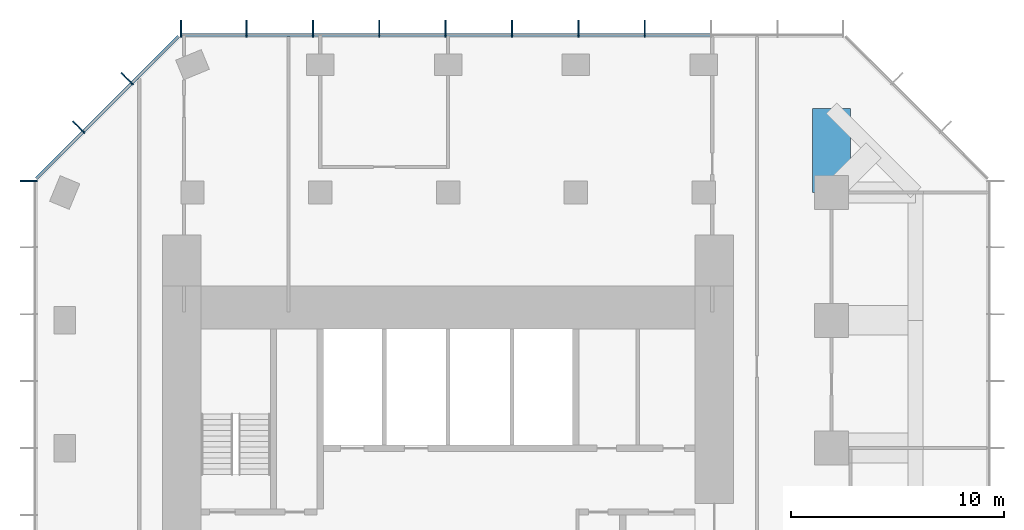
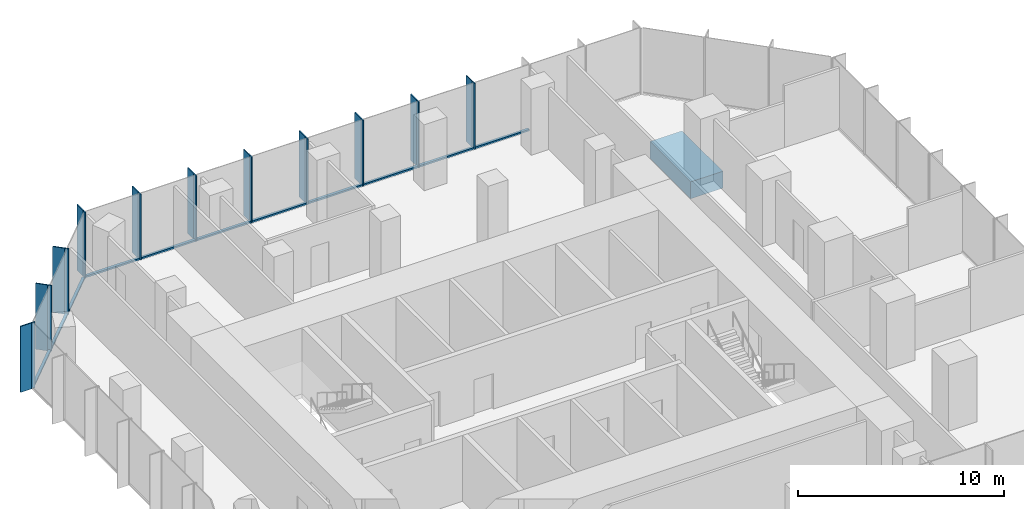
# One storey, part 5 of 10: 33 members, 1 beam, 3 elements without a shape of their own.
"""IFC4 building model written with IfcOpenShell, lengths in metres."""

import ifcopenshell
import ifcopenshell.guid

model = None  # the IFC model being written
_history = None  # IfcOwnerHistory: only IFC2X3 demands one
_inside = {}  # id of a spatial element -> (the spatial element, [elements in it])
_under = {}  # id of a project, library or spatial element -> (it, [spatial elements below it])
_declared = {}  # id of a project -> (the project, [libraries it declares])
_typed = {}  # id of a type object -> (the type object, [elements of that type])
_made_of = {}  # id of a material, layer set ... -> (it, [elements and type objects made of it])


def new_model(schema):
    """Start an empty IFC model of exactly this schema.

    Asked for "IFC4X3", IfcOpenShell would pick the latest addendum, in which some entities
    have other attributes; the version numbers below select the first issue.
    IFC2X3 requires an IfcOwnerHistory on every rooted entity: one is made here for all.
    """
    global model, _history
    if schema == "IFC4X3":
        model = ifcopenshell.file(schema_version=(4, 3, 0, 0))
    else:
        model = ifcopenshell.file(schema=schema)
    _inside.clear()
    _under.clear()
    _declared.clear()
    _typed.clear()
    _made_of.clear()
    _history = None
    if model.schema == "IFC2X3":
        org = make("IfcOrganization", Name="unknown")
        user = make(
            "IfcPersonAndOrganization",
            ThePerson=make("IfcPerson", FamilyName="unknown"),
            TheOrganization=org,
        )
        app = make(
            "IfcApplication",
            ApplicationDeveloper=org,
            Version="unknown",
            ApplicationFullName="unknown",
            ApplicationIdentifier="unknown",
        )
        _history = make(
            "IfcOwnerHistory",
            OwningUser=user,
            OwningApplication=app,
            ChangeAction="ADDED",
            CreationDate=0,
        )
    return model


def make(cls, **values):
    """One entity of the class cls with the attributes given. An attribute that is None is left unset."""
    return model.create_entity(
        cls, **{name: value for name, value in values.items() if value is not None}
    )


def rooted(cls, **values):
    """An entity with a GlobalId (a new one), such as an element, a storey or a relation."""
    return make(cls, GlobalId=ifcopenshell.guid.new(), OwnerHistory=_history, **values)


def si_unit(unit_type, name, prefix=None):
    """IfcSIUnit, for example si_unit("LENGTHUNIT", "METRE", prefix="MILLI")."""
    return make("IfcSIUnit", UnitType=unit_type, Prefix=prefix, Name=name)


def assignment(units):
    """IfcUnitAssignment: the units of a project."""
    return None if units is None else make("IfcUnitAssignment", Units=units)


def point(xyz):
    """IfcCartesianPoint."""
    return None if xyz is None else make("IfcCartesianPoint", Coordinates=xyz)


def direction(xyz):
    """IfcDirection."""
    return None if xyz is None else make("IfcDirection", DirectionRatios=xyz)


def frame(location, z_axis=None, x_axis=None):
    """IfcAxis2Placement3D, a coordinate frame: its origin and axes. An axis left out is left unset."""
    return make(
        "IfcAxis2Placement3D",
        Location=point(location),
        Axis=direction(z_axis),
        RefDirection=direction(x_axis),
    )


def frame_2d(location, x_axis=None):
    """IfcAxis2Placement2D, a coordinate frame in the plane: its origin and x axis."""
    return make(
        "IfcAxis2Placement2D", Location=point(location), RefDirection=direction(x_axis)
    )


def origin():
    """The frame at (0, 0, 0) with its axes left unset."""
    return frame((0.0, 0.0, 0.0))


def origin_2d():
    """The frame at (0, 0) in the plane with its x axis left unset."""
    return frame_2d((0.0, 0.0))


def place(relative_to, where):
    """IfcLocalPlacement: puts the frame where relative to a parent placement (None: the world)."""
    return make(
        "IfcLocalPlacement", PlacementRelTo=relative_to, RelativePlacement=where
    )


def context(
    kind, dimensions, precision=None, world=None, true_north=None, identifier=None
):
    """IfcGeometricRepresentationContext, for example the 3D "Model" context."""
    return make(
        "IfcGeometricRepresentationContext",
        ContextIdentifier=identifier,
        ContextType=kind,
        CoordinateSpaceDimension=dimensions,
        Precision=precision,
        WorldCoordinateSystem=world,
        TrueNorth=true_north,
    )


def subcontext(parent, identifier, kind, view, scale=None):
    """IfcGeometricRepresentationSubContext, for example "Body" below "Model"."""
    return make(
        "IfcGeometricRepresentationSubContext",
        ContextIdentifier=identifier,
        ContextType=kind,
        ParentContext=parent,
        TargetScale=scale,
        TargetView=view,
    )


def project(units=None, contexts=None):
    """IfcProject with its units and contexts."""
    return rooted(
        "IfcProject",
        Name="project",
        RepresentationContexts=contexts,
        UnitsInContext=assignment(units),
    )


def spatial(cls, under=None, at=None, **own):
    """A site, building, storey or space (cls), placed at a placement, below another one or the project."""
    s = rooted(cls, ObjectPlacement=at, **own)
    if under is not None:
        _under.setdefault(under.id(), (under, []))[1].append(s)
    return s


def profile(cls, at=None, kind="AREA", **sizes):
    """A parametric profile (cls). Its sizes go by their IFC names, for example OverallWidth=200.0."""
    return make(cls, ProfileType=kind, Position=at, **sizes)


def rectangle(**sizes):
    """IfcRectangleProfileDef."""
    return profile("IfcRectangleProfileDef", **sizes)


def extrude(swept, where, along, depth):
    """IfcExtrudedAreaSolid: the profile swept, set in the frame where, extruded along a direction by depth."""
    return make(
        "IfcExtrudedAreaSolid",
        SweptArea=swept,
        Position=where,
        ExtrudedDirection=direction(along),
        Depth=depth,
    )


def shape(context_of_items, identifier, shape_type, items):
    """IfcShapeRepresentation: the items that make up one representation, for example the "Body"."""
    return make(
        "IfcShapeRepresentation",
        ContextOfItems=context_of_items,
        RepresentationIdentifier=identifier,
        RepresentationType=shape_type,
        Items=items,
    )


def material(Name=None, Category=None):
    """IfcMaterial."""
    return make("IfcMaterial", Name=Name, Category=Category)


def layer(
    of_material, thickness, ventilated=None, Name=None, Category=None, Priority=None
):
    """IfcMaterialLayer: one layer of a wall or slab, of a material (None: an air gap)."""
    return make(
        "IfcMaterialLayer",
        Material=of_material,
        LayerThickness=thickness,
        IsVentilated=ventilated,
        Name=Name,
        Category=Category,
        Priority=Priority,
    )


def layer_set(layers, Name=None):
    """IfcMaterialLayerSet."""
    return make("IfcMaterialLayerSet", MaterialLayers=layers, LayerSetName=Name)


def material_profile(
    of_material, cross_section, Name=None, Category=None, Priority=None
):
    """IfcMaterialProfile: a cross section and its material."""
    return make(
        "IfcMaterialProfile",
        Name=Name,
        Material=of_material,
        Profile=cross_section,
        Priority=Priority,
        Category=Category,
    )


def profile_set(profiles, Name=None, composite=None):
    """IfcMaterialProfileSet."""
    return make(
        "IfcMaterialProfileSet",
        Name=Name,
        MaterialProfiles=profiles,
        CompositeProfile=composite,
    )


def made_of(thing, what):
    """Note that an element or type object is made of a material, layer set ...; save() writes the relation."""
    if what is not None:
        _made_of.setdefault(what.id(), (what, []))[1].append(thing)
    return thing


def type_object(cls, material=None, **own):
    """A type object (cls), such as IfcWallType, which elements share."""
    return made_of(rooted(cls, **own), material)


def element(
    cls,
    number,
    at=None,
    inside=None,
    cuts=None,
    type_object=None,
    material=None,
    context=None,
    identifier="Body",
    shape_type=None,
    held_by="IfcProductDefinitionShape",
    body=None,
    shapes=None,
    **own,
):
    """One element of the class cls, such as IfcWall. Its Tag is "e" and its number.

    at: its placement. inside: the storey or other place that contains it. cuts: it is an
    opening in that element (IfcRelVoidsElement). A single representation is given by context,
    identifier, shape_type and body (its items); several are given by shapes. held_by: the class
    of the entity that holds the representations. save() writes the other relations.
    """
    e = rooted(cls, Tag="e%d" % number, ObjectPlacement=at, **own)
    if body is not None:
        shapes = [shape(context, identifier, shape_type, body)]
    if shapes is not None:
        e.Representation = make(held_by, Representations=shapes)
    if inside is not None:
        _inside.setdefault(inside.id(), (inside, []))[1].append(e)
    if cuts is not None:
        rooted(
            "IfcRelVoidsElement", RelatingBuildingElement=cuts, RelatedOpeningElement=e
        )
    if type_object is not None:
        _typed.setdefault(type_object.id(), (type_object, []))[1].append(e)
    return made_of(e, material)


def aggregate(whole, parts):
    """IfcRelAggregates: a whole, such as a stair, and the parts it consists of."""
    return rooted("IfcRelAggregates", RelatingObject=whole, RelatedObjects=parts)


def save(model, path):
    """Write the relations noted so far, then the file.

    IfcRelAggregates (storeys below a building ...), IfcRelContainedInSpatialStructure (elements
    in a storey), IfcRelDefinesByType, IfcRelAssociatesMaterial and IfcRelDeclares: one each for
    every whole, place, type object, material and project.
    """
    for whole, parts in _under.values():
        aggregate(whole, parts)
    for where, things in _inside.values():
        rooted(
            "IfcRelContainedInSpatialStructure",
            RelatedElements=things,
            RelatingStructure=where,
        )
    for kind, things in _typed.values():
        rooted("IfcRelDefinesByType", RelatedObjects=things, RelatingType=kind)
    for what, things in _made_of.values():
        rooted("IfcRelAssociatesMaterial", RelatedObjects=things, RelatingMaterial=what)
    for by, libraries in _declared.values():
        rooted("IfcRelDeclares", RelatingContext=by, RelatedDefinitions=libraries)
    model.write(path)


model = new_model("IFC4")

# Units and contexts
model_context = context("Model", 3, precision=1e-05, world=origin(), true_north=direction((0.0, 1.0)))
body_context = subcontext(model_context, "Body", "Model", "MODEL_VIEW")
ifc_project = project(units=[si_unit("LENGTHUNIT", "METRE"), si_unit("AREAUNIT", "SQUARE_METRE"), si_unit("VOLUMEUNIT", "CUBIC_METRE"), si_unit("PLANEANGLEUNIT", "RADIAN"), si_unit("MASSUNIT", "GRAM", prefix="KILO")], contexts=[model_context])

# Site, building, storey
site_placement = place(None, origin())
site = spatial("IfcSite", under=ifc_project, at=site_placement, CompositionType="ELEMENT")
building_placement = place(site_placement, origin())
building = spatial("IfcBuilding", under=site, at=building_placement, Name="Highveld Stack Headquarters", CompositionType="ELEMENT")
storey_placement = place(building_placement, frame((0.0, 0.0, 256.699951171875)))
storey = spatial("IfcBuildingStorey", under=building, at=storey_placement, Name="L63", CompositionType="ELEMENT", Elevation=256.699951171875)

# Beam
ifc_material_1 = material(Name="Concrete C60/75", Category="concrete")
ifc_material_profile_1 = material_profile(ifc_material_1, rectangle(XDim=1.800048828125, YDim=1.0, at=origin_2d()), Name="RC 1800x1000")
ifc_profile_set_1 = profile_set([ifc_material_profile_1], Name="Concrete C60/75")
beam_type = type_object("IfcBeamType", Name="CANTILEVER RIB RC 1800x1000", PredefinedType="USERDEFINED", material=ifc_profile_set_1)
beam_placement = place(storey_placement, frame((24.0, 18.0, -0.75), z_axis=(0.0, 1.0, 0.0), x_axis=(-1.0, 0.0, 0.0)))
element("IfcBeam", 1, at=beam_placement, inside=storey, type_object=beam_type, Name="Cantilever rib 10/H L63", ObjectType="CANTILEVER RIB", PredefinedType="USERDEFINED", context=body_context, shape_type="SweptSolid", body=[
    extrude(rectangle(XDim=1.800048828125, YDim=1.0, at=origin_2d()), origin(), (0.0, 0.0, 1.0), 3.949951171875),
])

# Curtain wall, members
ifc_material_2 = material(Name="Aluminium bronze anodised", Category="aluminium")
ifc_layer = layer(ifc_material_2, 0.199951171875)
ifc_layer_set = layer_set([ifc_layer], Name="Aluminium bronze anodised")
curtain_wall_type = type_object("IfcCurtainWallType", Name="CW5 EXECUTIVE UNITISED CURTAIN WALL", PredefinedType="NOTDEFINED", material=ifc_layer_set)
curtain_wall_1_placement = place(storey_placement, origin())
curtain_wall_1 = element("IfcCurtainWall", 2, at=curtain_wall_1_placement, inside=storey, type_object=curtain_wall_type, Name="Curtain wall CW5 L63 N", PredefinedType="NOTDEFINED")
ifc_material_3 = material(Name="Aluminium bronze anodised", Category="aluminium")
ifc_material_profile_2 = material_profile(ifc_material_3, rectangle(XDim=0.60009765625, YDim=0.06005859375, at=origin_2d()), Name="FIN 600x60")
ifc_profile_set_2 = profile_set([ifc_material_profile_2], Name="Aluminium bronze anodised")
member_type_1 = type_object("IfcMemberType", Name="CW5 BRONZE FIN 600x60", PredefinedType="USERDEFINED", material=ifc_profile_set_2)
member_1_placement = place(storey_placement, frame((15.23193359375, 25.800048828125, 0.0), z_axis=(0.0, 0.0, 1.0), x_axis=(0.0, -1.0, 0.0)))
member_1 = element("IfcMember", 3, at=member_1_placement, type_object=member_type_1, Name="CW5 fin L63 4", ObjectType="FIN", PredefinedType="USERDEFINED", context=body_context, shape_type="SweptSolid", body=[
    extrude(rectangle(XDim=0.60009765625, YDim=0.06005859375, at=origin_2d()), origin(), (0.0, 0.0, 1.0), 3.900146484375),
])
member_2_placement = place(storey_placement, frame((12.115966796875, 25.800048828125, 0.0), z_axis=(0.0, 0.0, 1.0), x_axis=(0.0, -1.0, 0.0)))
member_2 = element("IfcMember", 4, at=member_2_placement, type_object=member_type_1, Name="CW5 fin L63 5", ObjectType="FIN", PredefinedType="USERDEFINED", context=body_context, shape_type="SweptSolid", body=[
    extrude(rectangle(XDim=0.60009765625, YDim=0.06005859375, at=origin_2d()), origin(), (0.0, 0.0, 1.0), 3.900146484375),
])
member_3_placement = place(storey_placement, frame((9.0, 25.800048828125, 0.0), z_axis=(0.0, 0.0, 1.0), x_axis=(0.0, -1.0, 0.0)))
member_3 = element("IfcMember", 5, at=member_3_placement, type_object=member_type_1, Name="CW5 fin L63 6", ObjectType="FIN", PredefinedType="USERDEFINED", context=body_context, shape_type="SweptSolid", body=[
    extrude(rectangle(XDim=0.60009765625, YDim=0.06005859375, at=origin_2d()), origin(), (0.0, 0.0, 1.0), 3.900146484375),
])
member_4_placement = place(storey_placement, frame((5.884033203125, 25.800048828125, 0.0), z_axis=(0.0, 0.0, 1.0), x_axis=(0.0, -1.0, 0.0)))
member_4 = element("IfcMember", 6, at=member_4_placement, type_object=member_type_1, Name="CW5 fin L63 7", ObjectType="FIN", PredefinedType="USERDEFINED", context=body_context, shape_type="SweptSolid", body=[
    extrude(rectangle(XDim=0.60009765625, YDim=0.06005859375, at=origin_2d()), origin(), (0.0, 0.0, 1.0), 3.900146484375),
])
member_5_placement = place(storey_placement, frame((2.76806640625, 25.800048828125, 0.0), z_axis=(0.0, 0.0, 1.0), x_axis=(0.0, -1.0, 0.0)))
member_5 = element("IfcMember", 7, at=member_5_placement, type_object=member_type_1, Name="CW5 fin L63 8", ObjectType="FIN", PredefinedType="USERDEFINED", context=body_context, shape_type="SweptSolid", body=[
    extrude(rectangle(XDim=0.60009765625, YDim=0.06005859375, at=origin_2d()), origin(), (0.0, 0.0, 1.0), 3.900146484375),
])
member_6_placement = place(storey_placement, frame((-0.347900390625, 25.800048828125, 0.0), z_axis=(0.0, 0.0, 1.0), x_axis=(0.0, -1.0, 0.0)))
member_6 = element("IfcMember", 8, at=member_6_placement, type_object=member_type_1, Name="CW5 fin L63 9", ObjectType="FIN", PredefinedType="USERDEFINED", context=body_context, shape_type="SweptSolid", body=[
    extrude(rectangle(XDim=0.60009765625, YDim=0.06005859375, at=origin_2d()), origin(), (0.0, 0.0, 1.0), 3.900146484375),
])
member_7_placement = place(storey_placement, frame((-3.4638671875, 25.800048828125, 0.0), z_axis=(0.0, 0.0, 1.0), x_axis=(0.0, -1.0, 0.0)))
member_7 = element("IfcMember", 9, at=member_7_placement, type_object=member_type_1, Name="CW5 fin L63 10", ObjectType="FIN", PredefinedType="USERDEFINED", context=body_context, shape_type="SweptSolid", body=[
    extrude(rectangle(XDim=0.60009765625, YDim=0.06005859375, at=origin_2d()), origin(), (0.0, 0.0, 1.0), 3.900146484375),
])
member_8_placement = place(storey_placement, frame((-6.54736328125, 25.800048828125, 0.0), z_axis=(0.0, 0.0, 1.0), x_axis=(0.0, -1.0, 0.0)))
member_8 = element("IfcMember", 10, at=member_8_placement, type_object=member_type_1, Name="CW5 fin L63 11", ObjectType="FIN", PredefinedType="USERDEFINED", context=body_context, shape_type="SweptSolid", body=[
    extrude(rectangle(XDim=0.60009765625, YDim=0.06005859375, at=origin_2d()), origin(), (0.0, 0.0, 1.0), 3.900146484375),
])

curtain_wall_2_placement = place(storey_placement, origin())
curtain_wall_2 = element("IfcCurtainWall", 11, at=curtain_wall_2_placement, inside=storey, type_object=curtain_wall_type, Name="Curtain wall CW5 L63 NW", PredefinedType="NOTDEFINED")
member_9_placement = place(storey_placement, frame((-9.135986328125, 23.409423828125, 0.0), z_axis=(0.0, 0.0, 1.0), x_axis=(0.707106781187, -0.707106781187, 0.0)))
member_9 = element("IfcMember", 12, at=member_9_placement, type_object=member_type_1, Name="CW5 fin L63 1", ObjectType="FIN", PredefinedType="USERDEFINED", context=body_context, shape_type="SweptSolid", body=[
    extrude(rectangle(XDim=0.60009765625, YDim=0.06005859375, at=origin_2d()), origin(), (0.0, 0.0, 1.0), 3.900146484375),
])
member_10_placement = place(storey_placement, frame((-11.409423828125, 21.135986328125, 0.0), z_axis=(0.0, 0.0, 1.0), x_axis=(0.707106781187, -0.707106781187, 0.0)))
member_10 = element("IfcMember", 13, at=member_10_placement, type_object=member_type_1, Name="CW5 fin L63 2", ObjectType="FIN", PredefinedType="USERDEFINED", context=body_context, shape_type="SweptSolid", body=[
    extrude(rectangle(XDim=0.60009765625, YDim=0.06005859375, at=origin_2d()), origin(), (0.0, 0.0, 1.0), 3.900146484375),
])

# Curtain wall, member
curtain_wall_3_placement = place(storey_placement, origin())
curtain_wall_3 = element("IfcCurtainWall", 14, at=curtain_wall_3_placement, inside=storey, type_object=curtain_wall_type, Name="Curtain wall CW5 L63 W", PredefinedType="NOTDEFINED")
member_11_placement = place(storey_placement, frame((-13.800048828125, 18.54736328125, 0.0), z_axis=(0.0, 0.0, 1.0), x_axis=(1.0, 0.0, 0.0)))
member_11 = element("IfcMember", 15, at=member_11_placement, type_object=member_type_1, Name="CW5 fin L63 1", ObjectType="FIN", PredefinedType="USERDEFINED", context=body_context, shape_type="SweptSolid", body=[
    extrude(rectangle(XDim=0.60009765625, YDim=0.06005859375, at=origin_2d()), origin(), (0.0, 0.0, 1.0), 3.900146484375),
])

# Member
ifc_material_4 = material(Name="Aluminium bronze anodised", Category="aluminium")
ifc_material_profile_3 = material_profile(ifc_material_4, rectangle(XDim=0.199951171875, YDim=0.06494140625, at=origin_2d()), Name="CW5 MULLION 65x200")
ifc_profile_set_3 = profile_set([ifc_material_profile_3], Name="Aluminium bronze anodised")
member_type_2 = type_object("IfcMemberType", Name="CW5 MULLION 65x200", PredefinedType="MULLION", material=ifc_profile_set_3)
member_12_placement = place(storey_placement, frame((15.23193359375, 25.39990234375, 0.0), z_axis=(0.0, 0.0, 1.0), x_axis=(0.0, -1.0, 0.0)))
member_12 = element("IfcMember", 16, at=member_12_placement, type_object=member_type_2, Name="CW5 mullion L63 4", PredefinedType="MULLION", context=body_context, shape_type="SweptSolid", body=[
    extrude(rectangle(XDim=0.199951171875, YDim=0.06494140625, at=origin_2d()), origin(), (0.0, 0.0, 1.0), 3.900146484375),
])

member_13_placement = place(storey_placement, frame((12.115966796875, 25.39990234375, 0.0), z_axis=(0.0, 0.0, 1.0), x_axis=(0.0, -1.0, 0.0)))
member_13 = element("IfcMember", 17, at=member_13_placement, type_object=member_type_2, Name="CW5 mullion L63 5", PredefinedType="MULLION", context=body_context, shape_type="SweptSolid", body=[
    extrude(rectangle(XDim=0.199951171875, YDim=0.06494140625, at=origin_2d()), origin(), (0.0, 0.0, 1.0), 3.900146484375),
])

member_14_placement = place(storey_placement, frame((9.0, 25.39990234375, 0.0), z_axis=(0.0, 0.0, 1.0), x_axis=(0.0, -1.0, 0.0)))
member_14 = element("IfcMember", 18, at=member_14_placement, type_object=member_type_2, Name="CW5 mullion L63 6", PredefinedType="MULLION", context=body_context, shape_type="SweptSolid", body=[
    extrude(rectangle(XDim=0.199951171875, YDim=0.06494140625, at=origin_2d()), origin(), (0.0, 0.0, 1.0), 3.900146484375),
])

member_15_placement = place(storey_placement, frame((5.884033203125, 25.39990234375, 0.0), z_axis=(0.0, 0.0, 1.0), x_axis=(0.0, -1.0, 0.0)))
member_15 = element("IfcMember", 19, at=member_15_placement, type_object=member_type_2, Name="CW5 mullion L63 7", PredefinedType="MULLION", context=body_context, shape_type="SweptSolid", body=[
    extrude(rectangle(XDim=0.199951171875, YDim=0.06494140625, at=origin_2d()), origin(), (0.0, 0.0, 1.0), 3.900146484375),
])

member_16_placement = place(storey_placement, frame((2.76806640625, 25.39990234375, 0.0), z_axis=(0.0, 0.0, 1.0), x_axis=(0.0, -1.0, 0.0)))
member_16 = element("IfcMember", 20, at=member_16_placement, type_object=member_type_2, Name="CW5 mullion L63 8", PredefinedType="MULLION", context=body_context, shape_type="SweptSolid", body=[
    extrude(rectangle(XDim=0.199951171875, YDim=0.06494140625, at=origin_2d()), origin(), (0.0, 0.0, 1.0), 3.900146484375),
])

member_17_placement = place(storey_placement, frame((-0.347900390625, 25.39990234375, 0.0), z_axis=(0.0, 0.0, 1.0), x_axis=(0.0, -1.0, 0.0)))
member_17 = element("IfcMember", 21, at=member_17_placement, type_object=member_type_2, Name="CW5 mullion L63 9", PredefinedType="MULLION", context=body_context, shape_type="SweptSolid", body=[
    extrude(rectangle(XDim=0.199951171875, YDim=0.06494140625, at=origin_2d()), origin(), (0.0, 0.0, 1.0), 3.900146484375),
])

member_18_placement = place(storey_placement, frame((-3.4638671875, 25.39990234375, 0.0), z_axis=(0.0, 0.0, 1.0), x_axis=(0.0, -1.0, 0.0)))
member_18 = element("IfcMember", 22, at=member_18_placement, type_object=member_type_2, Name="CW5 mullion L63 10", PredefinedType="MULLION", context=body_context, shape_type="SweptSolid", body=[
    extrude(rectangle(XDim=0.199951171875, YDim=0.06494140625, at=origin_2d()), origin(), (0.0, 0.0, 1.0), 3.900146484375),
])

member_19_placement = place(storey_placement, frame((-6.54736328125, 25.39990234375, 0.0), z_axis=(0.0, 0.0, 1.0), x_axis=(0.0, -1.0, 0.0)))
member_19 = element("IfcMember", 23, at=member_19_placement, type_object=member_type_2, Name="CW5 mullion L63 11", PredefinedType="MULLION", context=body_context, shape_type="SweptSolid", body=[
    extrude(rectangle(XDim=0.199951171875, YDim=0.06494140625, at=origin_2d()), origin(), (0.0, 0.0, 1.0), 3.900146484375),
])

member_20_placement = place(storey_placement, frame((-8.853271484375, 23.126708984375, 0.0), z_axis=(0.0, 0.0, 1.0), x_axis=(0.707106781187, -0.707106781187, 0.0)))
member_20 = element("IfcMember", 24, at=member_20_placement, type_object=member_type_2, Name="CW5 mullion L63 1", PredefinedType="MULLION", context=body_context, shape_type="SweptSolid", body=[
    extrude(rectangle(XDim=0.199951171875, YDim=0.06494140625, at=origin_2d()), origin(), (0.0, 0.0, 1.0), 3.900146484375),
])

member_21_placement = place(storey_placement, frame((-11.126708984375, 20.853271484375, 0.0), z_axis=(0.0, 0.0, 1.0), x_axis=(0.707106781187, -0.707106781187, 0.0)))
member_21 = element("IfcMember", 25, at=member_21_placement, type_object=member_type_2, Name="CW5 mullion L63 2", PredefinedType="MULLION", context=body_context, shape_type="SweptSolid", body=[
    extrude(rectangle(XDim=0.199951171875, YDim=0.06494140625, at=origin_2d()), origin(), (0.0, 0.0, 1.0), 3.900146484375),
])

member_22_placement = place(storey_placement, frame((-13.39990234375, 18.54736328125, 0.0), z_axis=(0.0, 0.0, 1.0), x_axis=(1.0, 0.0, 0.0)))
member_22 = element("IfcMember", 26, at=member_22_placement, type_object=member_type_2, Name="CW5 mullion L63 1", PredefinedType="MULLION", context=body_context, shape_type="SweptSolid", body=[
    extrude(rectangle(XDim=0.199951171875, YDim=0.06494140625, at=origin_2d()), origin(), (0.0, 0.0, 1.0), 3.900146484375),
])

aggregate(curtain_wall_3, [member_22, member_11])

ifc_material_5 = material(Name="Aluminium bronze anodised", Category="aluminium")
ifc_material_profile_4 = material_profile(ifc_material_5, rectangle(XDim=0.14990234375, YDim=0.10009765625, at=origin_2d()), Name="CW5 TRANSOM 150x100")
ifc_profile_set_4 = profile_set([ifc_material_profile_4], Name="Aluminium bronze anodised")
member_type_3 = type_object("IfcMemberType", Name="CW5 STACK TRANSOM 150x100", PredefinedType="USERDEFINED", material=ifc_profile_set_4)
member_23_placement = place(storey_placement, frame((18.3154296875, 25.39990234375, 0.050048828125), z_axis=(-1.0, 0.0, 0.0), x_axis=(0.0, -1.0, 0.0)))
member_23 = element("IfcMember", 27, at=member_23_placement, type_object=member_type_3, Name="CW5 transom L63 3.1", ObjectType="TRANSOM", PredefinedType="USERDEFINED", context=body_context, shape_type="SweptSolid", body=[
    extrude(rectangle(XDim=0.14990234375, YDim=0.10009765625, at=origin_2d()), origin(), (0.0, 0.0, 1.0), 3.051025390625),
])

member_24_placement = place(storey_placement, frame((15.199462890625, 25.39990234375, 0.050048828125), z_axis=(-1.0, 0.0, 0.0), x_axis=(0.0, -1.0, 0.0)))
member_24 = element("IfcMember", 28, at=member_24_placement, type_object=member_type_3, Name="CW5 transom L63 4.1", ObjectType="TRANSOM", PredefinedType="USERDEFINED", context=body_context, shape_type="SweptSolid", body=[
    extrude(rectangle(XDim=0.14990234375, YDim=0.10009765625, at=origin_2d()), origin(), (0.0, 0.0, 1.0), 3.051025390625),
])

member_25_placement = place(storey_placement, frame((12.08349609375, 25.39990234375, 0.050048828125), z_axis=(-1.0, 0.0, 0.0), x_axis=(0.0, -1.0, 0.0)))
member_25 = element("IfcMember", 29, at=member_25_placement, type_object=member_type_3, Name="CW5 transom L63 5.1", ObjectType="TRANSOM", PredefinedType="USERDEFINED", context=body_context, shape_type="SweptSolid", body=[
    extrude(rectangle(XDim=0.14990234375, YDim=0.10009765625, at=origin_2d()), origin(), (0.0, 0.0, 1.0), 3.051025390625),
])

member_26_placement = place(storey_placement, frame((8.967529296875, 25.39990234375, 0.050048828125), z_axis=(-1.0, 0.0, 0.0), x_axis=(0.0, -1.0, 0.0)))
member_26 = element("IfcMember", 30, at=member_26_placement, type_object=member_type_3, Name="CW5 transom L63 6.1", ObjectType="TRANSOM", PredefinedType="USERDEFINED", context=body_context, shape_type="SweptSolid", body=[
    extrude(rectangle(XDim=0.14990234375, YDim=0.10009765625, at=origin_2d()), origin(), (0.0, 0.0, 1.0), 3.051025390625),
])

member_27_placement = place(storey_placement, frame((5.8515625, 25.39990234375, 0.050048828125), z_axis=(-1.0, 0.0, 0.0), x_axis=(0.0, -1.0, 0.0)))
member_27 = element("IfcMember", 31, at=member_27_placement, type_object=member_type_3, Name="CW5 transom L63 7.1", ObjectType="TRANSOM", PredefinedType="USERDEFINED", context=body_context, shape_type="SweptSolid", body=[
    extrude(rectangle(XDim=0.14990234375, YDim=0.10009765625, at=origin_2d()), origin(), (0.0, 0.0, 1.0), 3.051025390625),
])

member_28_placement = place(storey_placement, frame((2.735595703125, 25.39990234375, 0.050048828125), z_axis=(-1.0, 0.0, 0.0), x_axis=(0.0, -1.0, 0.0)))
member_28 = element("IfcMember", 32, at=member_28_placement, type_object=member_type_3, Name="CW5 transom L63 8.1", ObjectType="TRANSOM", PredefinedType="USERDEFINED", context=body_context, shape_type="SweptSolid", body=[
    extrude(rectangle(XDim=0.14990234375, YDim=0.10009765625, at=origin_2d()), origin(), (0.0, 0.0, 1.0), 3.051025390625),
])

member_29_placement = place(storey_placement, frame((-0.38037109375, 25.39990234375, 0.050048828125), z_axis=(-1.0, 0.0, 0.0), x_axis=(0.0, -1.0, 0.0)))
member_29 = element("IfcMember", 33, at=member_29_placement, type_object=member_type_3, Name="CW5 transom L63 9.1", ObjectType="TRANSOM", PredefinedType="USERDEFINED", context=body_context, shape_type="SweptSolid", body=[
    extrude(rectangle(XDim=0.14990234375, YDim=0.10009765625, at=origin_2d()), origin(), (0.0, 0.0, 1.0), 3.051025390625),
])

member_30_placement = place(storey_placement, frame((-3.496337890625, 25.39990234375, 0.050048828125), z_axis=(-1.0, 0.0, 0.0), x_axis=(0.0, -1.0, 0.0)))
member_30 = element("IfcMember", 34, at=member_30_placement, type_object=member_type_3, Name="CW5 transom L63 10.1", ObjectType="TRANSOM", PredefinedType="USERDEFINED", context=body_context, shape_type="SweptSolid", body=[
    extrude(rectangle(XDim=0.14990234375, YDim=0.10009765625, at=origin_2d()), origin(), (0.0, 0.0, 1.0), 3.0185546875),
])

aggregate(curtain_wall_1, [member_12, member_1, member_13, member_2, member_14, member_3, member_15, member_4, member_16, member_5, member_17, member_6, member_18, member_7, member_19, member_8, member_23, member_24, member_25, member_26, member_27, member_28, member_29, member_30])

member_31_placement = place(storey_placement, frame((-6.650634765625, 25.329345703125, 0.050048828125), z_axis=(-0.707106781187, -0.707106781187, 0.0), x_axis=(0.707106781187, -0.707106781187, 0.0)))
member_31 = element("IfcMember", 35, at=member_31_placement, type_object=member_type_3, Name="CW5 transom L63 1.1", ObjectType="TRANSOM", PredefinedType="USERDEFINED", context=body_context, shape_type="SweptSolid", body=[
    extrude(rectangle(XDim=0.14990234375, YDim=0.10009765625, at=origin_2d()), origin(), (0.0, 0.0, 1.0), 3.08251953125),
])

member_32_placement = place(storey_placement, frame((-8.876220703125, 23.103759765625, 0.050048828125), z_axis=(-0.707106781187, -0.707106781187, 0.0), x_axis=(0.707106781187, -0.707106781187, 0.0)))
member_32 = element("IfcMember", 36, at=member_32_placement, type_object=member_type_3, Name="CW5 transom L63 2.1", ObjectType="TRANSOM", PredefinedType="USERDEFINED", context=body_context, shape_type="SweptSolid", body=[
    extrude(rectangle(XDim=0.14990234375, YDim=0.10009765625, at=origin_2d()), origin(), (0.0, 0.0, 1.0), 3.150146484375),
])

member_33_placement = place(storey_placement, frame((-11.149658203125, 20.830322265625, 0.050048828125), z_axis=(-0.707106781187, -0.707106781187, 0.0), x_axis=(0.707106781187, -0.707106781187, 0.0)))
member_33 = element("IfcMember", 37, at=member_33_placement, type_object=member_type_3, Name="CW5 transom L63 3.1", ObjectType="TRANSOM", PredefinedType="USERDEFINED", context=body_context, shape_type="SweptSolid", body=[
    extrude(rectangle(XDim=0.14990234375, YDim=0.10009765625, at=origin_2d()), origin(), (0.0, 0.0, 1.0), 3.08251953125),
])

aggregate(curtain_wall_2, [member_20, member_9, member_21, member_10, member_31, member_32, member_33])

save(model, "model.ifc")
